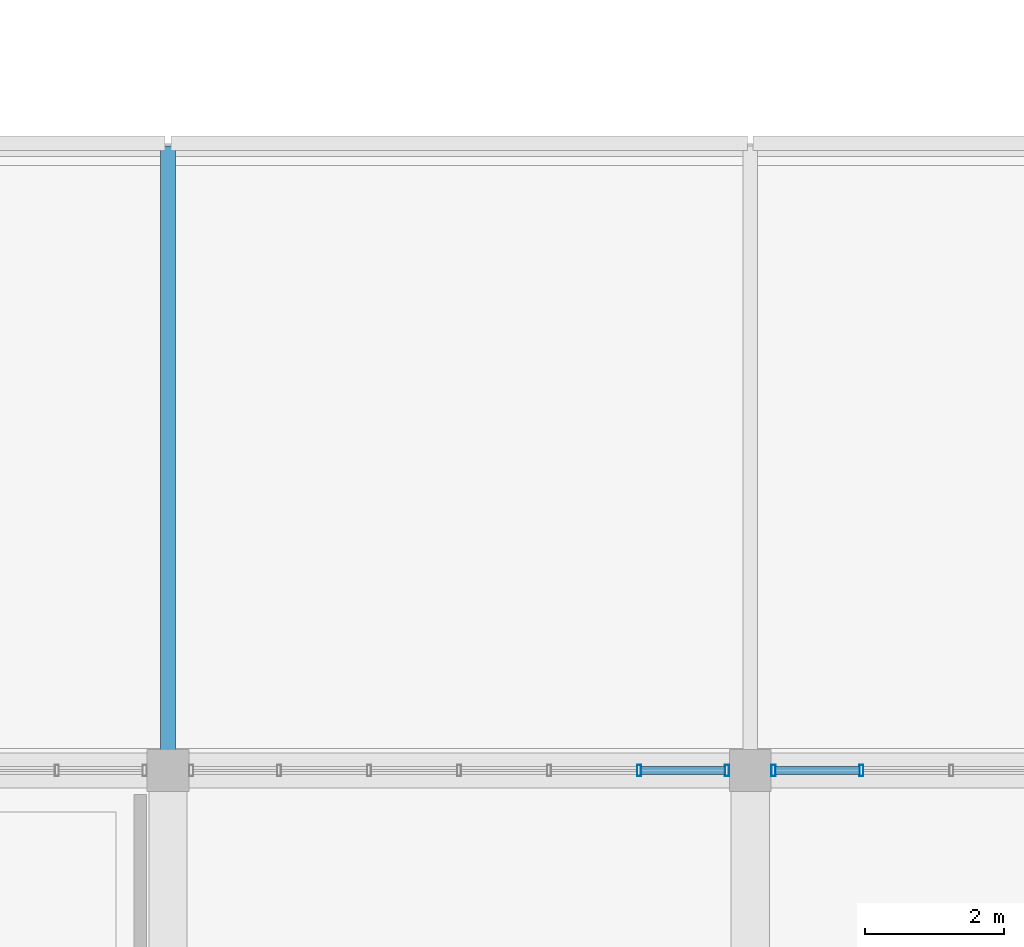
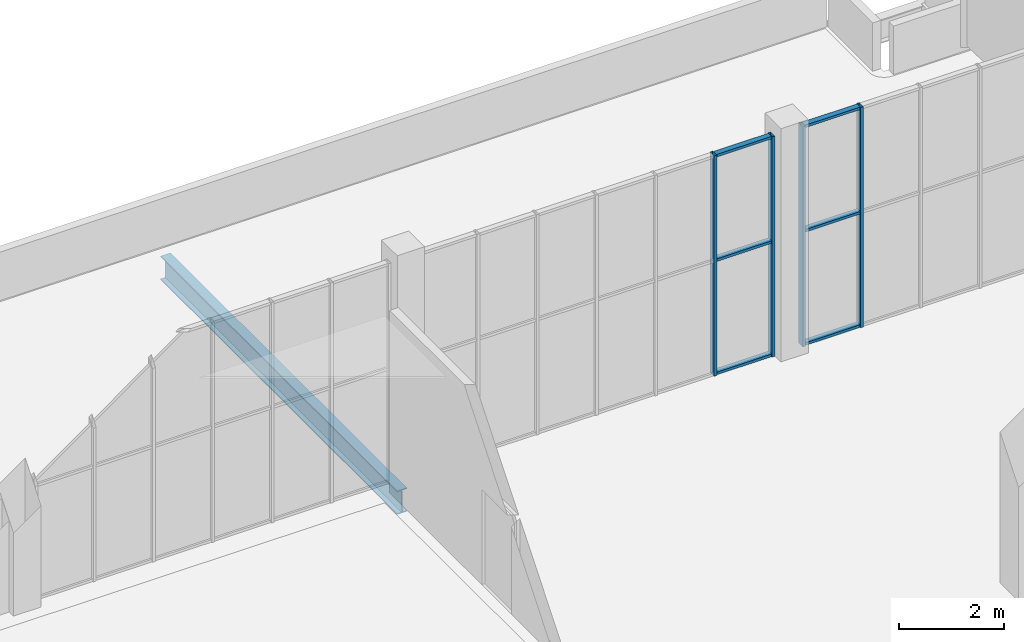
# One storey, part 52 of 132: 10 members, 1 beam, 2 elements without a shape of their own.
"""IFC4 building model written with IfcOpenShell, lengths in metres."""

from ifc_helpers import new_model, si_unit, direction, frame, origin, origin_2d, place, context, subcontext, project, spatial, hollow_rectangle, i_section, extrude, material, material_profile, profile_set, type_object, element, aggregate, save


model = new_model("IFC4")

# Units and contexts
model_context = context("Model", 3, precision=1e-05, world=origin(), true_north=direction((0.0, 1.0)))
body_context = subcontext(model_context, "Body", "Model", "MODEL_VIEW")
ifc_project = project(units=[si_unit("LENGTHUNIT", "METRE"), si_unit("AREAUNIT", "SQUARE_METRE"), si_unit("VOLUMEUNIT", "CUBIC_METRE"), si_unit("PLANEANGLEUNIT", "RADIAN"), si_unit("MASSUNIT", "GRAM", prefix="KILO")], contexts=[model_context])

# Site, building, storey
site_placement = place(None, origin())
site = spatial("IfcSite", under=ifc_project, at=site_placement, CompositionType="ELEMENT")
building_placement = place(site_placement, origin())
building = spatial("IfcBuilding", under=site, at=building_placement, Name="Khurvash Pelagic Aquarium", CompositionType="ELEMENT")
storey_placement = place(building_placement, frame((0.0, 0.0, 5.39990234375)))
storey = spatial("IfcBuildingStorey", under=building, at=storey_placement, Name="L01", CompositionType="ELEMENT", Elevation=5.39990234375)

# Beam
ifc_material_1 = material(Name="Steel ASTM A992 Grade 50", Category="steel")
ifc_material_profile_1 = material_profile(ifc_material_1, i_section(OverallWidth=0.214111328125, OverallDepth=0.549072265625, WebThickness=0.0146484375, FlangeThickness=0.023681640625, at=origin_2d()), Name="W21X93")
ifc_profile_set_1 = profile_set([ifc_material_profile_1], Name="Steel ASTM A992 Grade 50")
beam_type = type_object("IfcBeamType", Name="BM-11", PredefinedType="BEAM", material=ifc_profile_set_1)
beam_placement = place(storey_placement, frame((16.800048828125, 93.139892578125, -0.594482421875), z_axis=(0.0, 1.0, 0.0), x_axis=(-1.0, 0.0, 0.0)))
element("IfcBeam", 1, at=beam_placement, inside=storey, type_object=beam_type, Name="L01 Roof Girder BM-11 01207", PredefinedType="BEAM", context=body_context, shape_type="SweptSolid", body=[
    extrude(i_section(OverallWidth=0.214111328125, OverallDepth=0.549072265625, WebThickness=0.0146484375, FlangeThickness=0.023681640625, at=origin_2d()), origin(), (0.0, 0.0, 1.0), 8.97021484375),
])

# Curtain wall, members
ifc_material_2 = material(Name="Anodised aluminium and low-E laminated glass", Category="aluminium")
curtain_wall_type = type_object("IfcCurtainWallType", Name="CW-05", PredefinedType="USERDEFINED", material=ifc_material_2)
curtain_wall_1_placement = place(storey_placement, origin())
curtain_wall_1 = element("IfcCurtainWall", 2, at=curtain_wall_1_placement, inside=storey, type_object=curtain_wall_type, Name="L01 Facade Unitised Curtain Wall CW-05 0121", ObjectType="UNITISED CURTAIN WALL", PredefinedType="USERDEFINED")
ifc_material_3 = material(Name="Extruded aluminium AW-6063-T6", Category="aluminium")
ifc_material_profile_2 = material_profile(ifc_material_3, hollow_rectangle(XDim=0.06005859375, YDim=0.159912109375, WallThickness=0.00390625, at=origin_2d()), Name="CWM60X160X4")
ifc_profile_set_2 = profile_set([ifc_material_profile_2], Name="Extruded aluminium AW-6063-T6")
member_type_1 = type_object("IfcMemberType", Name="CM-02", PredefinedType="MULLION", material=ifc_profile_set_2)
member_1_placement = place(storey_placement, frame((26.80322265625, 93.10009765625, 0.0), z_axis=(0.0, 0.0, 1.0), x_axis=(-1.0, 0.0, 0.0)))
member_1 = element("IfcMember", 3, at=member_1_placement, type_object=member_type_1, Name="CW-05 mullion 6", PredefinedType="MULLION", context=body_context, shape_type="SweptSolid", body=[
    extrude(hollow_rectangle(XDim=0.06005859375, YDim=0.159912109375, WallThickness=0.00390625, at=origin_2d()), origin(), (0.0, 0.0, 1.0), 5.10009765625),
])
member_2_placement = place(storey_placement, frame((25.534912109375, 93.10009765625, 0.0), z_axis=(0.0, 0.0, 1.0), x_axis=(-1.0, 0.0, 0.0)))
member_2 = element("IfcMember", 4, at=member_2_placement, type_object=member_type_1, Name="CW-05 mullion 7", PredefinedType="MULLION", context=body_context, shape_type="SweptSolid", body=[
    extrude(hollow_rectangle(XDim=0.06005859375, YDim=0.159912109375, WallThickness=0.00390625, at=origin_2d()), origin(), (0.0, 0.0, 1.0), 5.10009765625),
])

curtain_wall_2_placement = place(storey_placement, origin())
curtain_wall_2 = element("IfcCurtainWall", 5, at=curtain_wall_2_placement, inside=storey, type_object=curtain_wall_type, Name="L01 Facade Unitised Curtain Wall CW-05 0122", ObjectType="UNITISED CURTAIN WALL", PredefinedType="USERDEFINED")
member_3_placement = place(storey_placement, frame((24.864990234375, 93.10009765625, 0.0), z_axis=(0.0, 0.0, 1.0), x_axis=(-1.0, 0.0, 0.0)))
member_3 = element("IfcMember", 6, at=member_3_placement, type_object=member_type_1, Name="CW-05 mullion 1", PredefinedType="MULLION", context=body_context, shape_type="SweptSolid", body=[
    extrude(hollow_rectangle(XDim=0.06005859375, YDim=0.159912109375, WallThickness=0.00390625, at=origin_2d()), origin(), (0.0, 0.0, 1.0), 5.10009765625),
])
member_4_placement = place(storey_placement, frame((23.5966796875, 93.10009765625, 0.0), z_axis=(0.0, 0.0, 1.0), x_axis=(-1.0, 0.0, 0.0)))
member_4 = element("IfcMember", 7, at=member_4_placement, type_object=member_type_1, Name="CW-05 mullion 2", PredefinedType="MULLION", context=body_context, shape_type="SweptSolid", body=[
    extrude(hollow_rectangle(XDim=0.06005859375, YDim=0.159912109375, WallThickness=0.00390625, at=origin_2d()), origin(), (0.0, 0.0, 1.0), 5.10009765625),
])

# Member
ifc_material_profile_3 = material_profile(ifc_material_3, hollow_rectangle(XDim=0.1201171875, YDim=0.06005859375, WallThickness=0.00390625, at=origin_2d()), Name="CWT120X60X4")
ifc_profile_set_3 = profile_set([ifc_material_profile_3], Name="Extruded aluminium AW-6063-T6")
member_type_2 = type_object("IfcMemberType", Name="CT-02", PredefinedType="USERDEFINED", material=ifc_profile_set_3)
member_5_placement = place(storey_placement, frame((26.7734375, 93.10009765625, 0.030029296875), z_axis=(-1.0, 0.0, 0.0), x_axis=(0.0, -1.0, 0.0)))
member_5 = element("IfcMember", 8, at=member_5_placement, type_object=member_type_2, Name="CW-05 transom 6.1", ObjectType="TRANSOM", PredefinedType="USERDEFINED", context=body_context, shape_type="SweptSolid", body=[
    extrude(hollow_rectangle(XDim=0.1201171875, YDim=0.06005859375, WallThickness=0.00390625, at=origin_2d()), origin(), (0.0, 0.0, 1.0), 1.20849609375),
])

member_6_placement = place(storey_placement, frame((26.7734375, 93.10009765625, 2.652099609375), z_axis=(-1.0, 0.0, 0.0), x_axis=(0.0, -1.0, 0.0)))
member_6 = element("IfcMember", 9, at=member_6_placement, type_object=member_type_2, Name="CW-05 transom 6.2", ObjectType="TRANSOM", PredefinedType="USERDEFINED", context=body_context, shape_type="SweptSolid", body=[
    extrude(hollow_rectangle(XDim=0.1201171875, YDim=0.06005859375, WallThickness=0.00390625, at=origin_2d()), origin(), (0.0, 0.0, 1.0), 1.20849609375),
])

member_7_placement = place(storey_placement, frame((26.7734375, 93.10009765625, 5.070068359375), z_axis=(-1.0, 0.0, 0.0), x_axis=(0.0, -1.0, 0.0)))
member_7 = element("IfcMember", 10, at=member_7_placement, type_object=member_type_2, Name="CW-05 transom 6.3", ObjectType="TRANSOM", PredefinedType="USERDEFINED", context=body_context, shape_type="SweptSolid", body=[
    extrude(hollow_rectangle(XDim=0.1201171875, YDim=0.06005859375, WallThickness=0.00390625, at=origin_2d()), origin(), (0.0, 0.0, 1.0), 1.20849609375),
])

aggregate(curtain_wall_1, [member_1, member_2, member_5, member_6, member_7])

member_8_placement = place(storey_placement, frame((24.8349609375, 93.10009765625, 0.030029296875), z_axis=(-1.0, 0.0, 0.0), x_axis=(0.0, -1.0, 0.0)))
member_8 = element("IfcMember", 11, at=member_8_placement, type_object=member_type_2, Name="CW-05 transom 1.1", ObjectType="TRANSOM", PredefinedType="USERDEFINED", context=body_context, shape_type="SweptSolid", body=[
    extrude(hollow_rectangle(XDim=0.1201171875, YDim=0.06005859375, WallThickness=0.00390625, at=origin_2d()), origin(), (0.0, 0.0, 1.0), 1.208251953125),
])

member_9_placement = place(storey_placement, frame((24.8349609375, 93.10009765625, 2.652099609375), z_axis=(-1.0, 0.0, 0.0), x_axis=(0.0, -1.0, 0.0)))
member_9 = element("IfcMember", 12, at=member_9_placement, type_object=member_type_2, Name="CW-05 transom 1.2", ObjectType="TRANSOM", PredefinedType="USERDEFINED", context=body_context, shape_type="SweptSolid", body=[
    extrude(hollow_rectangle(XDim=0.1201171875, YDim=0.06005859375, WallThickness=0.00390625, at=origin_2d()), origin(), (0.0, 0.0, 1.0), 1.208251953125),
])

member_10_placement = place(storey_placement, frame((24.8349609375, 93.10009765625, 5.070068359375), z_axis=(-1.0, 0.0, 0.0), x_axis=(0.0, -1.0, 0.0)))
member_10 = element("IfcMember", 13, at=member_10_placement, type_object=member_type_2, Name="CW-05 transom 1.3", ObjectType="TRANSOM", PredefinedType="USERDEFINED", context=body_context, shape_type="SweptSolid", body=[
    extrude(hollow_rectangle(XDim=0.1201171875, YDim=0.06005859375, WallThickness=0.00390625, at=origin_2d()), origin(), (0.0, 0.0, 1.0), 1.208251953125),
])

aggregate(curtain_wall_2, [member_3, member_4, member_8, member_9, member_10])

save(model, "model.ifc")
